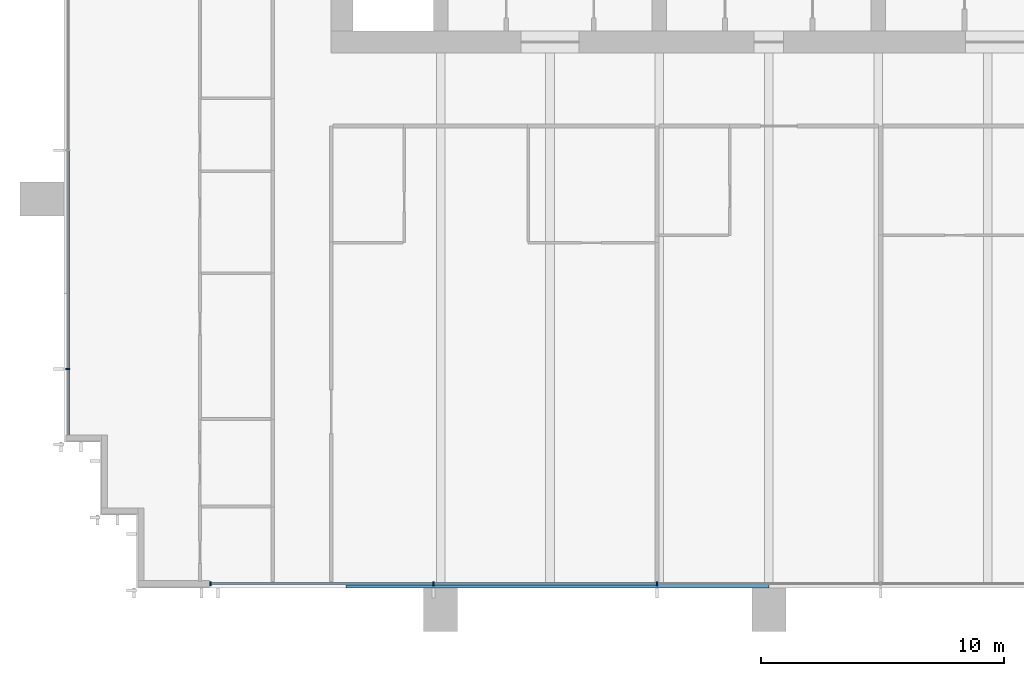
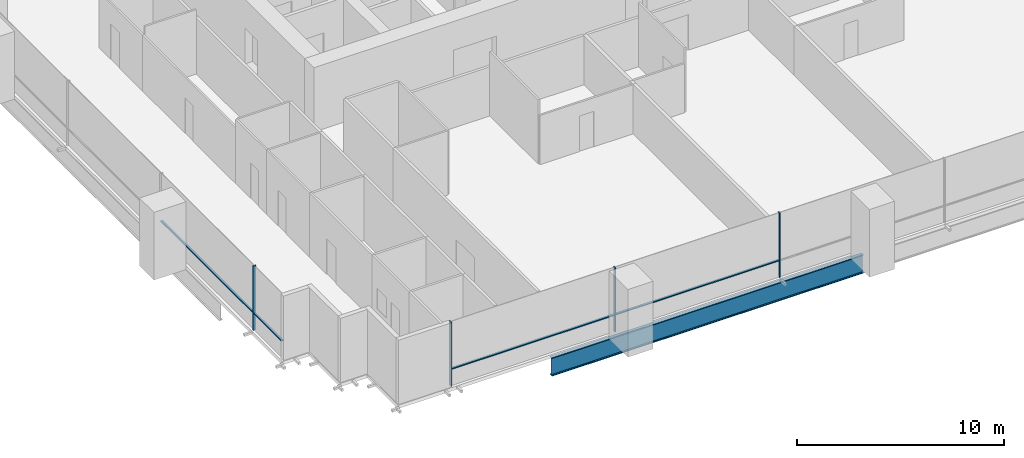
# One storey, part 2 of 15: 8 members, 1 beam, 2 elements without a shape of their own.
"""IFC4 building model written with IfcOpenShell, lengths in metres."""

import ifcopenshell
import ifcopenshell.guid

model = None  # the IFC model being written
_history = None  # IfcOwnerHistory: only IFC2X3 demands one
_inside = {}  # id of a spatial element -> (the spatial element, [elements in it])
_under = {}  # id of a project, library or spatial element -> (it, [spatial elements below it])
_declared = {}  # id of a project -> (the project, [libraries it declares])
_typed = {}  # id of a type object -> (the type object, [elements of that type])
_made_of = {}  # id of a material, layer set ... -> (it, [elements and type objects made of it])


def new_model(schema):
    """Start an empty IFC model of exactly this schema.

    Asked for "IFC4X3", IfcOpenShell would pick the latest addendum, in which some entities
    have other attributes; the version numbers below select the first issue.
    IFC2X3 requires an IfcOwnerHistory on every rooted entity: one is made here for all.
    """
    global model, _history
    if schema == "IFC4X3":
        model = ifcopenshell.file(schema_version=(4, 3, 0, 0))
    else:
        model = ifcopenshell.file(schema=schema)
    _inside.clear()
    _under.clear()
    _declared.clear()
    _typed.clear()
    _made_of.clear()
    _history = None
    if model.schema == "IFC2X3":
        org = make("IfcOrganization", Name="unknown")
        user = make(
            "IfcPersonAndOrganization",
            ThePerson=make("IfcPerson", FamilyName="unknown"),
            TheOrganization=org,
        )
        app = make(
            "IfcApplication",
            ApplicationDeveloper=org,
            Version="unknown",
            ApplicationFullName="unknown",
            ApplicationIdentifier="unknown",
        )
        _history = make(
            "IfcOwnerHistory",
            OwningUser=user,
            OwningApplication=app,
            ChangeAction="ADDED",
            CreationDate=0,
        )
    return model


def make(cls, **values):
    """One entity of the class cls with the attributes given. An attribute that is None is left unset."""
    return model.create_entity(
        cls, **{name: value for name, value in values.items() if value is not None}
    )


def rooted(cls, **values):
    """An entity with a GlobalId (a new one), such as an element, a storey or a relation."""
    return make(cls, GlobalId=ifcopenshell.guid.new(), OwnerHistory=_history, **values)


def si_unit(unit_type, name, prefix=None):
    """IfcSIUnit, for example si_unit("LENGTHUNIT", "METRE", prefix="MILLI")."""
    return make("IfcSIUnit", UnitType=unit_type, Prefix=prefix, Name=name)


def assignment(units):
    """IfcUnitAssignment: the units of a project."""
    return None if units is None else make("IfcUnitAssignment", Units=units)


def point(xyz):
    """IfcCartesianPoint."""
    return None if xyz is None else make("IfcCartesianPoint", Coordinates=xyz)


def direction(xyz):
    """IfcDirection."""
    return None if xyz is None else make("IfcDirection", DirectionRatios=xyz)


def frame(location, z_axis=None, x_axis=None):
    """IfcAxis2Placement3D, a coordinate frame: its origin and axes. An axis left out is left unset."""
    return make(
        "IfcAxis2Placement3D",
        Location=point(location),
        Axis=direction(z_axis),
        RefDirection=direction(x_axis),
    )


def frame_2d(location, x_axis=None):
    """IfcAxis2Placement2D, a coordinate frame in the plane: its origin and x axis."""
    return make(
        "IfcAxis2Placement2D", Location=point(location), RefDirection=direction(x_axis)
    )


def origin():
    """The frame at (0, 0, 0) with its axes left unset."""
    return frame((0.0, 0.0, 0.0))


def origin_2d():
    """The frame at (0, 0) in the plane with its x axis left unset."""
    return frame_2d((0.0, 0.0))


def place(relative_to, where):
    """IfcLocalPlacement: puts the frame where relative to a parent placement (None: the world)."""
    return make(
        "IfcLocalPlacement", PlacementRelTo=relative_to, RelativePlacement=where
    )


def context(
    kind, dimensions, precision=None, world=None, true_north=None, identifier=None
):
    """IfcGeometricRepresentationContext, for example the 3D "Model" context."""
    return make(
        "IfcGeometricRepresentationContext",
        ContextIdentifier=identifier,
        ContextType=kind,
        CoordinateSpaceDimension=dimensions,
        Precision=precision,
        WorldCoordinateSystem=world,
        TrueNorth=true_north,
    )


def subcontext(parent, identifier, kind, view, scale=None):
    """IfcGeometricRepresentationSubContext, for example "Body" below "Model"."""
    return make(
        "IfcGeometricRepresentationSubContext",
        ContextIdentifier=identifier,
        ContextType=kind,
        ParentContext=parent,
        TargetScale=scale,
        TargetView=view,
    )


def project(units=None, contexts=None):
    """IfcProject with its units and contexts."""
    return rooted(
        "IfcProject",
        Name="project",
        RepresentationContexts=contexts,
        UnitsInContext=assignment(units),
    )


def spatial(cls, under=None, at=None, **own):
    """A site, building, storey or space (cls), placed at a placement, below another one or the project."""
    s = rooted(cls, ObjectPlacement=at, **own)
    if under is not None:
        _under.setdefault(under.id(), (under, []))[1].append(s)
    return s


def profile(cls, at=None, kind="AREA", **sizes):
    """A parametric profile (cls). Its sizes go by their IFC names, for example OverallWidth=200.0."""
    return make(cls, ProfileType=kind, Position=at, **sizes)


def rectangle(**sizes):
    """IfcRectangleProfileDef."""
    return profile("IfcRectangleProfileDef", **sizes)


def i_section(**sizes):
    """IfcIShapeProfileDef."""
    return profile("IfcIShapeProfileDef", **sizes)


def extrude(swept, where, along, depth):
    """IfcExtrudedAreaSolid: the profile swept, set in the frame where, extruded along a direction by depth."""
    return make(
        "IfcExtrudedAreaSolid",
        SweptArea=swept,
        Position=where,
        ExtrudedDirection=direction(along),
        Depth=depth,
    )


def shape(context_of_items, identifier, shape_type, items):
    """IfcShapeRepresentation: the items that make up one representation, for example the "Body"."""
    return make(
        "IfcShapeRepresentation",
        ContextOfItems=context_of_items,
        RepresentationIdentifier=identifier,
        RepresentationType=shape_type,
        Items=items,
    )


def material(Name=None, Category=None):
    """IfcMaterial."""
    return make("IfcMaterial", Name=Name, Category=Category)


def material_profile(
    of_material, cross_section, Name=None, Category=None, Priority=None
):
    """IfcMaterialProfile: a cross section and its material."""
    return make(
        "IfcMaterialProfile",
        Name=Name,
        Material=of_material,
        Profile=cross_section,
        Priority=Priority,
        Category=Category,
    )


def profile_set(profiles, Name=None, composite=None):
    """IfcMaterialProfileSet."""
    return make(
        "IfcMaterialProfileSet",
        Name=Name,
        MaterialProfiles=profiles,
        CompositeProfile=composite,
    )


def made_of(thing, what):
    """Note that an element or type object is made of a material, layer set ...; save() writes the relation."""
    if what is not None:
        _made_of.setdefault(what.id(), (what, []))[1].append(thing)
    return thing


def type_object(cls, material=None, **own):
    """A type object (cls), such as IfcWallType, which elements share."""
    return made_of(rooted(cls, **own), material)


def element(
    cls,
    number,
    at=None,
    inside=None,
    cuts=None,
    type_object=None,
    material=None,
    context=None,
    identifier="Body",
    shape_type=None,
    held_by="IfcProductDefinitionShape",
    body=None,
    shapes=None,
    **own,
):
    """One element of the class cls, such as IfcWall. Its Tag is "e" and its number.

    at: its placement. inside: the storey or other place that contains it. cuts: it is an
    opening in that element (IfcRelVoidsElement). A single representation is given by context,
    identifier, shape_type and body (its items); several are given by shapes. held_by: the class
    of the entity that holds the representations. save() writes the other relations.
    """
    e = rooted(cls, Tag="e%d" % number, ObjectPlacement=at, **own)
    if body is not None:
        shapes = [shape(context, identifier, shape_type, body)]
    if shapes is not None:
        e.Representation = make(held_by, Representations=shapes)
    if inside is not None:
        _inside.setdefault(inside.id(), (inside, []))[1].append(e)
    if cuts is not None:
        rooted(
            "IfcRelVoidsElement", RelatingBuildingElement=cuts, RelatedOpeningElement=e
        )
    if type_object is not None:
        _typed.setdefault(type_object.id(), (type_object, []))[1].append(e)
    return made_of(e, material)


def aggregate(whole, parts):
    """IfcRelAggregates: a whole, such as a stair, and the parts it consists of."""
    return rooted("IfcRelAggregates", RelatingObject=whole, RelatedObjects=parts)


def save(model, path):
    """Write the relations noted so far, then the file.

    IfcRelAggregates (storeys below a building ...), IfcRelContainedInSpatialStructure (elements
    in a storey), IfcRelDefinesByType, IfcRelAssociatesMaterial and IfcRelDeclares: one each for
    every whole, place, type object, material and project.
    """
    for whole, parts in _under.values():
        aggregate(whole, parts)
    for where, things in _inside.values():
        rooted(
            "IfcRelContainedInSpatialStructure",
            RelatedElements=things,
            RelatingStructure=where,
        )
    for kind, things in _typed.values():
        rooted("IfcRelDefinesByType", RelatedObjects=things, RelatingType=kind)
    for what, things in _made_of.values():
        rooted("IfcRelAssociatesMaterial", RelatedObjects=things, RelatingMaterial=what)
    for by, libraries in _declared.values():
        rooted("IfcRelDeclares", RelatingContext=by, RelatedDefinitions=libraries)
    model.write(path)


model = new_model("IFC4")

# Units and contexts
model_context = context("Model", 3, precision=1e-05, world=origin(), true_north=direction((0.0, 1.0)))
body_context = subcontext(model_context, "Body", "Model", "MODEL_VIEW")
ifc_project = project(units=[si_unit("LENGTHUNIT", "METRE"), si_unit("AREAUNIT", "SQUARE_METRE"), si_unit("VOLUMEUNIT", "CUBIC_METRE"), si_unit("PLANEANGLEUNIT", "RADIAN"), si_unit("MASSUNIT", "GRAM", prefix="KILO")], contexts=[model_context])

# Site, building, storey
site_placement = place(None, origin())
site = spatial("IfcSite", under=ifc_project, at=site_placement, CompositionType="ELEMENT")
building_placement = place(site_placement, origin())
building = spatial("IfcBuilding", under=site, at=building_placement, Name="Rattan Terrace Tower", CompositionType="ELEMENT")
storey_placement = place(building_placement, frame((0.0, 0.0, 142.10009765625)))
storey = spatial("IfcBuildingStorey", under=building, at=storey_placement, Name="L32", CompositionType="ELEMENT", Elevation=142.10009765625)

# Curtain wall, member
ifc_material_1 = material(Name="Aluminium and glass", Category="aluminium")
curtain_wall_type = type_object("IfcCurtainWallType", Name="Facade Unitised Curtain Wall", PredefinedType="NOTDEFINED", material=ifc_material_1)
curtain_wall_1_placement = place(storey_placement, origin())
curtain_wall_1 = element("IfcCurtainWall", 1, at=curtain_wall_1_placement, inside=storey, type_object=curtain_wall_type, Name="Curtain wall L32-3", PredefinedType="NOTDEFINED")
ifc_material_2 = material(Name="Aluminium", Category="aluminium")
ifc_material_profile_1 = material_profile(ifc_material_2, rectangle(XDim=0.06005859375, YDim=0.159912109375, at=origin_2d()), Name="Aluminium 60x160")
ifc_profile_set_1 = profile_set([ifc_material_profile_1], Name="Aluminium")
member_type_1 = type_object("IfcMemberType", Name="Facade CW Mullion 60x160", PredefinedType="MULLION", material=ifc_profile_set_1)
member_1_placement = place(storey_placement, frame((-28.830078125, -20.5, 0.0), z_axis=(0.0, 0.0, 1.0), x_axis=(0.0, -1.0, 0.0)))
member_1 = element("IfcMember", 2, at=member_1_placement, type_object=member_type_1, Name="Mullion cwl-L32-003.4", PredefinedType="MULLION", context=body_context, shape_type="SweptSolid", body=[
    extrude(rectangle(XDim=0.06005859375, YDim=0.159912109375, at=origin_2d()), origin(), (0.0, 0.0, 1.0), 3.7998046875),
])

# Curtain wall, members
curtain_wall_2_placement = place(storey_placement, origin())
curtain_wall_2 = element("IfcCurtainWall", 3, at=curtain_wall_2_placement, inside=storey, type_object=curtain_wall_type, Name="Curtain wall L32-4", PredefinedType="NOTDEFINED")
member_2_placement = place(storey_placement, frame((-22.969970703125, -29.330078125, 0.0), z_axis=(0.0, 0.0, 1.0), x_axis=(1.0, 0.0, 0.0)))
member_2 = element("IfcMember", 4, at=member_2_placement, type_object=member_type_1, Name="Mullion cwl-L32-004.1", PredefinedType="MULLION", context=body_context, shape_type="SweptSolid", body=[
    extrude(rectangle(XDim=0.06005859375, YDim=0.159912109375, at=origin_2d()), origin(), (0.0, 0.0, 1.0), 3.7998046875),
])
member_3_placement = place(storey_placement, frame((-13.799072265625, -29.330078125, 0.0), z_axis=(0.0, 0.0, 1.0), x_axis=(1.0, 0.0, 0.0)))
member_3 = element("IfcMember", 5, at=member_3_placement, type_object=member_type_1, Name="Mullion cwl-L32-004.2", PredefinedType="MULLION", context=body_context, shape_type="SweptSolid", body=[
    extrude(rectangle(XDim=0.06005859375, YDim=0.159912109375, at=origin_2d()), origin(), (0.0, 0.0, 1.0), 3.7998046875),
])
member_4_placement = place(storey_placement, frame((-4.597900390625, -29.330078125, 0.0), z_axis=(0.0, 0.0, 1.0), x_axis=(1.0, 0.0, 0.0)))
member_4 = element("IfcMember", 6, at=member_4_placement, type_object=member_type_1, Name="Mullion cwl-L32-004.3", PredefinedType="MULLION", context=body_context, shape_type="SweptSolid", body=[
    extrude(rectangle(XDim=0.06005859375, YDim=0.159912109375, at=origin_2d()), origin(), (0.0, 0.0, 1.0), 3.7998046875),
])

# Member
ifc_material_3 = material(Name="Aluminium", Category="aluminium")
ifc_material_profile_2 = material_profile(ifc_material_3, rectangle(XDim=0.1201171875, YDim=0.06005859375, at=origin_2d()), Name="Aluminium 120x60")
ifc_profile_set_2 = profile_set([ifc_material_profile_2], Name="Aluminium")
member_type_2 = type_object("IfcMemberType", Name="Facade CW Transom 120x60", PredefinedType="USERDEFINED", material=ifc_profile_set_2)
member_5_placement = place(storey_placement, frame((-28.830078125, -11.530029296875, 1.0), z_axis=(0.0, -1.0, 0.0), x_axis=(1.0, 0.0, 0.0)))
member_5 = element("IfcMember", 7, at=member_5_placement, type_object=member_type_2, Name="Transom cwl-L32-003.3", ObjectType="TRANSOM", PredefinedType="USERDEFINED", context=body_context, shape_type="SweptSolid", body=[
    extrude(rectangle(XDim=0.1201171875, YDim=0.06005859375, at=origin_2d()), origin(), (0.0, 0.0, 1.0), 8.93994140625),
])

member_6_placement = place(storey_placement, frame((-28.830078125, -20.530029296875, 1.0), z_axis=(0.0, -1.0, 0.0), x_axis=(1.0, 0.0, 0.0)))
member_6 = element("IfcMember", 8, at=member_6_placement, type_object=member_type_2, Name="Transom cwl-L32-003.4", ObjectType="TRANSOM", PredefinedType="USERDEFINED", context=body_context, shape_type="SweptSolid", body=[
    extrude(rectangle(XDim=0.1201171875, YDim=0.06005859375, at=origin_2d()), origin(), (0.0, 0.0, 1.0), 2.675048828125),
])

aggregate(curtain_wall_1, [member_1, member_5, member_6])

member_7_placement = place(storey_placement, frame((-22.93994140625, -29.330078125, 1.0), z_axis=(1.0, 0.0, 0.0), x_axis=(0.0, 1.0, 0.0)))
member_7 = element("IfcMember", 9, at=member_7_placement, type_object=member_type_2, Name="Transom cwl-L32-004.1", ObjectType="TRANSOM", PredefinedType="USERDEFINED", context=body_context, shape_type="SweptSolid", body=[
    extrude(rectangle(XDim=0.1201171875, YDim=0.06005859375, at=origin_2d()), origin(), (0.0, 0.0, 1.0), 9.11083984375),
])

member_8_placement = place(storey_placement, frame((-13.76904296875, -29.330078125, 1.0), z_axis=(1.0, 0.0, 0.0), x_axis=(0.0, 1.0, 0.0)))
member_8 = element("IfcMember", 10, at=member_8_placement, type_object=member_type_2, Name="Transom cwl-L32-004.2", ObjectType="TRANSOM", PredefinedType="USERDEFINED", context=body_context, shape_type="SweptSolid", body=[
    extrude(rectangle(XDim=0.1201171875, YDim=0.06005859375, at=origin_2d()), origin(), (0.0, 0.0, 1.0), 9.14111328125),
])

aggregate(curtain_wall_2, [member_2, member_3, member_4, member_7, member_8])

# Beam
ifc_material_4 = material(Name="Steel S460", Category="steel")
ifc_material_profile_3 = material_profile(ifc_material_4, i_section(OverallWidth=0.179931640625, OverallDepth=1.10009765625, WebThickness=0.01611328125, FlangeThickness=0.050048828125, at=origin_2d()), Name="PG 1100x180-16-50")
ifc_profile_set_3 = profile_set([ifc_material_profile_3], Name="Steel S460")
beam_type = type_object("IfcBeamType", Name="Frame edge girder PG 1100x180-16-50", PredefinedType="SPANDREL", material=ifc_profile_set_3)
beam_placement = place(storey_placement, frame((-17.39990234375, -29.409912109375, -0.75), z_axis=(1.0, 0.0, 0.0), x_axis=(0.0, 1.0, 0.0)))
element("IfcBeam", 11, at=beam_placement, inside=storey, type_object=beam_type, Name="gdr-L32-001", PredefinedType="SPANDREL", context=body_context, shape_type="SweptSolid", body=[
    extrude(i_section(OverallWidth=0.179931640625, OverallDepth=1.10009765625, WebThickness=0.01611328125, FlangeThickness=0.050048828125, at=origin_2d()), origin(), (0.0, 0.0, 1.0), 17.39990234375),
])

save(model, "model.ifc")
